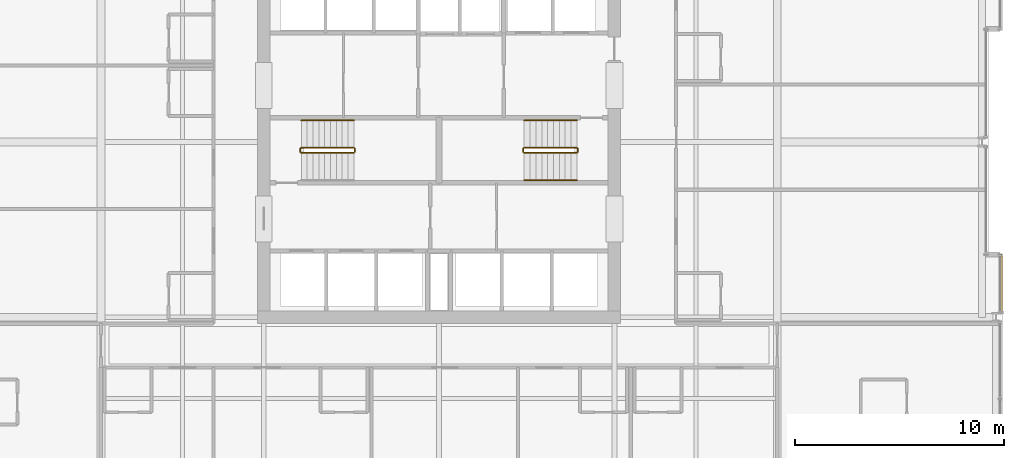
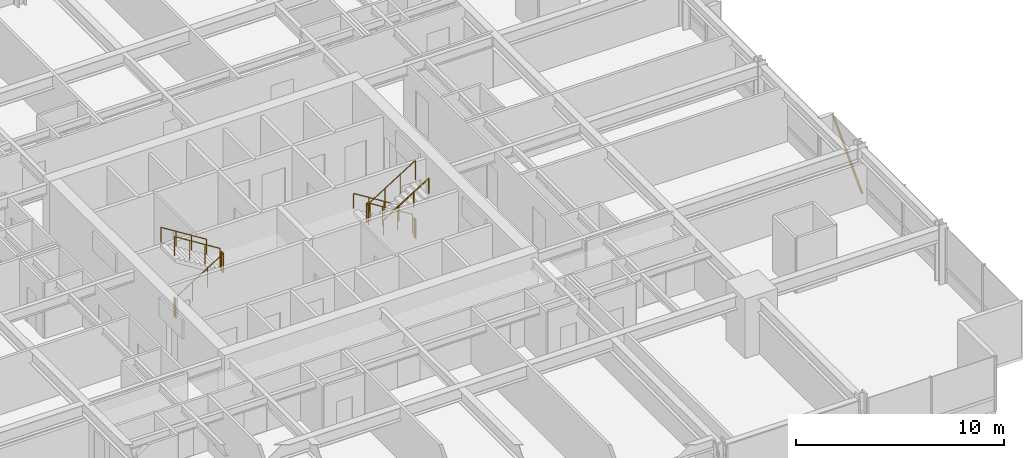
# One storey, part 37 of 38: 11 railings, 1 shading device.
"""IFC4 building model written with IfcOpenShell, lengths in metres."""

from ifc_helpers import new_model, si_unit, direction, frame, origin, origin_2d, place, context, subcontext, project, spatial, hollow_rectangle, circle, extrude, material, material_profile, profile_set, type_object, element, save


model = new_model("IFC4")

# Units and contexts
model_context = context("Model", 3, precision=1e-05, world=origin(), true_north=direction((0.0, 1.0)))
body_context = subcontext(model_context, "Body", "Model", "MODEL_VIEW")
ifc_project = project(units=[si_unit("LENGTHUNIT", "METRE"), si_unit("AREAUNIT", "SQUARE_METRE"), si_unit("VOLUMEUNIT", "CUBIC_METRE"), si_unit("PLANEANGLEUNIT", "RADIAN"), si_unit("MASSUNIT", "GRAM", prefix="KILO")], contexts=[model_context])

# Site, building, storey
site_placement = place(None, origin())
site = spatial("IfcSite", under=ifc_project, at=site_placement, CompositionType="ELEMENT")
building_placement = place(site_placement, origin())
building = spatial("IfcBuilding", under=site, at=building_placement, Name="Drelvath Grand Hotel", CompositionType="ELEMENT")
storey_placement = place(building_placement, frame((0.0, 0.0, 61.199951171875)))
storey = spatial("IfcBuildingStorey", under=building, at=storey_placement, Name="L14", CompositionType="ELEMENT", Elevation=61.199951171875)

# Railings
ifc_material_1 = material(Name="Painted Steel S275", Category="steel")
railing_type_1 = type_object("IfcRailingType", Name="Core Stair Wall Handrail 900", PredefinedType="HANDRAIL", material=ifc_material_1)
for number, where, name in (
    (1, (-4.080078125, 28.030029296875, 1.925048828125), "L14 ST-1 stair handrail 2"),
    (2, (6.60009765625, 28.030029296875, 0.175048828125), "L14 ST-2 stair handrail 1"),
):
    element("IfcRailing", number, at=place(storey_placement, frame(where)), inside=storey, type_object=railing_type_1, Name=name, PredefinedType="HANDRAIL", context=body_context, shape_type="SweptSolid", body=[
        extrude(circle(Radius=0.02392578125, at=origin_2d()), frame((0.0, 0.0, 0.8759765625), z_axis=(-0.848007534815, 0.0, 0.529984170421), x_axis=(0.0, -1.0, 0.0)), (0.0, 0.0, 1.0), 2.9716796875),
        extrude(circle(Radius=0.02099609375, at=origin_2d()), origin(), (0.0, 0.0, 1.0), 0.851806640625),
        extrude(circle(Radius=0.02099609375, at=origin_2d()), frame((-0.840087890625, 0.0, 0.52490234375)), (0.0, 0.0, 1.0), 0.851806640625),
        extrude(circle(Radius=0.02099609375, at=origin_2d()), frame((-1.679931640625, 0.0, 1.050048828125)), (0.0, 0.0, 1.0), 0.851806640625),
        extrude(circle(Radius=0.02099609375, at=origin_2d()), frame((-2.52001953125, 0.0, 1.574951171875)), (0.0, 0.0, 1.0), 0.851806640625),
    ])
railing_1_placement = place(storey_placement, frame((4.080078125, 25.169921875, 1.925048828125)))
element("IfcRailing", 3, at=railing_1_placement, inside=storey, type_object=railing_type_1, Name="L14 ST-2 stair handrail 2", PredefinedType="HANDRAIL", context=body_context, shape_type="SweptSolid", body=[
    extrude(circle(Radius=0.02392578125, at=origin_2d()), frame((0.0, 0.0, 0.8759765625), z_axis=(0.848007534815, 0.0, 0.529984170421), x_axis=(0.0, 1.0, 0.0)), (0.0, 0.0, 1.0), 2.9716796875),
    extrude(circle(Radius=0.02099609375, at=origin_2d()), origin(), (0.0, 0.0, 1.0), 0.851806640625),
    extrude(circle(Radius=0.02099609375, at=origin_2d()), frame((0.840087890625, 0.0, 0.52490234375)), (0.0, 0.0, 1.0), 0.851806640625),
    extrude(circle(Radius=0.02099609375, at=origin_2d()), frame((1.679931640625, 0.0, 1.050048828125)), (0.0, 0.0, 1.0), 0.851806640625),
    extrude(circle(Radius=0.02099609375, at=origin_2d()), frame((2.52001953125, 0.0, 1.574951171875)), (0.0, 0.0, 1.0), 0.851806640625),
])
railing_type_2 = type_object("IfcRailingType", Name="Core Stair Well Guardrail 1100", PredefinedType="GUARDRAIL", material=ifc_material_1)
railing_2_placement = place(storey_placement, frame((-6.60009765625, 26.469970703125, 0.175048828125)))
element("IfcRailing", 4, at=railing_2_placement, inside=storey, type_object=railing_type_2, Name="L14 ST-1 stair guard 1", PredefinedType="GUARDRAIL", context=body_context, shape_type="SweptSolid", body=[
    extrude(circle(Radius=0.02392578125, at=origin_2d()), frame((0.0, 0.0, 1.1259765625), z_axis=(0.848007534815, 0.0, 0.529984170421), x_axis=(0.0, 1.0, 0.0)), (0.0, 0.0, 1.0), 2.9716796875),
    extrude(circle(Radius=0.02099609375, at=origin_2d()), origin(), (0.0, 0.0, 1.0), 1.101806640625),
    extrude(circle(Radius=0.02099609375, at=origin_2d()), frame((0.840087890625, 0.0, 0.52490234375)), (0.0, 0.0, 1.0), 1.101806640625),
    extrude(circle(Radius=0.02099609375, at=origin_2d()), frame((1.679931640625, 0.0, 1.050048828125)), (0.0, 0.0, 1.0), 1.101806640625),
    extrude(circle(Radius=0.02099609375, at=origin_2d()), frame((2.52001953125, 0.0, 1.574951171875)), (0.0, 0.0, 1.0), 1.101806640625),
])
railing_3_placement = place(storey_placement, frame((-4.030029296875, 26.52001953125, 1.75)))
element("IfcRailing", 5, at=railing_3_placement, inside=storey, type_object=railing_type_2, Name="L14 ST-1 stair guard 2", PredefinedType="GUARDRAIL", context=body_context, shape_type="SweptSolid", body=[
    extrude(circle(Radius=0.02392578125, at=origin_2d()), frame((0.0, 0.0, 1.1259765625), z_axis=(0.0, 1.0, 0.0), x_axis=(-1.0, 0.0, 0.0)), (0.0, 0.0, 1.0), 0.159912109375),
    extrude(circle(Radius=0.02099609375, at=origin_2d()), origin(), (0.0, 0.0, 1.0), 1.101806640625),
    extrude(circle(Radius=0.02099609375, at=origin_2d()), frame((0.0, 0.159912109375, 0.0)), (0.0, 0.0, 1.0), 1.101806640625),
])
railing_4_placement = place(storey_placement, frame((-4.080078125, 26.72998046875, 1.925048828125)))
element("IfcRailing", 6, at=railing_4_placement, inside=storey, type_object=railing_type_2, Name="L14 ST-1 stair guard 3", PredefinedType="GUARDRAIL", context=body_context, shape_type="SweptSolid", body=[
    extrude(circle(Radius=0.02392578125, at=origin_2d()), frame((0.0, 0.0, 1.1259765625), z_axis=(-0.848007534815, 0.0, 0.529984170421), x_axis=(0.0, -1.0, 0.0)), (0.0, 0.0, 1.0), 2.9716796875),
    extrude(circle(Radius=0.02099609375, at=origin_2d()), origin(), (0.0, 0.0, 1.0), 1.101806640625),
    extrude(circle(Radius=0.02099609375, at=origin_2d()), frame((-0.840087890625, 0.0, 0.52490234375)), (0.0, 0.0, 1.0), 1.101806640625),
    extrude(circle(Radius=0.02099609375, at=origin_2d()), frame((-1.679931640625, 0.0, 1.050048828125)), (0.0, 0.0, 1.0), 1.101806640625),
    extrude(circle(Radius=0.02099609375, at=origin_2d()), frame((-2.52001953125, 0.0, 1.574951171875)), (0.0, 0.0, 1.0), 1.101806640625),
])
railing_5_placement = place(storey_placement, frame((-6.64990234375, 26.52001953125, 0.0)))
element("IfcRailing", 7, at=railing_5_placement, inside=storey, type_object=railing_type_2, Name="L14 ST-1 stair guard 4", PredefinedType="GUARDRAIL", context=body_context, shape_type="SweptSolid", body=[
    extrude(circle(Radius=0.02392578125, at=origin_2d()), frame((0.0, 0.0, 1.1259765625), z_axis=(0.0, 1.0, 0.0), x_axis=(-1.0, 0.0, 0.0)), (0.0, 0.0, 1.0), 0.159912109375),
    extrude(circle(Radius=0.02099609375, at=origin_2d()), origin(), (0.0, 0.0, 1.0), 1.101806640625),
    extrude(circle(Radius=0.02099609375, at=origin_2d()), frame((0.0, 0.159912109375, 0.0)), (0.0, 0.0, 1.0), 1.101806640625),
])
railing_6_placement = place(storey_placement, frame((6.60009765625, 26.72998046875, 0.175048828125)))
element("IfcRailing", 8, at=railing_6_placement, inside=storey, type_object=railing_type_2, Name="L14 ST-2 stair guard 1", PredefinedType="GUARDRAIL", context=body_context, shape_type="SweptSolid", body=[
    extrude(circle(Radius=0.02392578125, at=origin_2d()), frame((0.0, 0.0, 1.1259765625), z_axis=(-0.848007534815, 0.0, 0.529984170421), x_axis=(0.0, -1.0, 0.0)), (0.0, 0.0, 1.0), 2.9716796875),
    extrude(circle(Radius=0.02099609375, at=origin_2d()), origin(), (0.0, 0.0, 1.0), 1.101806640625),
    extrude(circle(Radius=0.02099609375, at=origin_2d()), frame((-0.840087890625, 0.0, 0.52490234375)), (0.0, 0.0, 1.0), 1.101806640625),
    extrude(circle(Radius=0.02099609375, at=origin_2d()), frame((-1.679931640625, 0.0, 1.050048828125)), (0.0, 0.0, 1.0), 1.101806640625),
    extrude(circle(Radius=0.02099609375, at=origin_2d()), frame((-2.52001953125, 0.0, 1.574951171875)), (0.0, 0.0, 1.0), 1.101806640625),
])
railing_7_placement = place(storey_placement, frame((4.030029296875, 26.679931640625, 1.75)))
element("IfcRailing", 9, at=railing_7_placement, inside=storey, type_object=railing_type_2, Name="L14 ST-2 stair guard 2", PredefinedType="GUARDRAIL", context=body_context, shape_type="SweptSolid", body=[
    extrude(circle(Radius=0.02392578125, at=origin_2d()), frame((0.0, 0.0, 1.1259765625), z_axis=(0.0, -1.0, 0.0), x_axis=(1.0, 0.0, 0.0)), (0.0, 0.0, 1.0), 0.159912109375),
    extrude(circle(Radius=0.02099609375, at=origin_2d()), origin(), (0.0, 0.0, 1.0), 1.101806640625),
    extrude(circle(Radius=0.02099609375, at=origin_2d()), frame((0.0, -0.159912109375, 0.0)), (0.0, 0.0, 1.0), 1.101806640625),
])
railing_8_placement = place(storey_placement, frame((4.080078125, 26.469970703125, 1.925048828125)))
element("IfcRailing", 10, at=railing_8_placement, inside=storey, type_object=railing_type_2, Name="L14 ST-2 stair guard 3", PredefinedType="GUARDRAIL", context=body_context, shape_type="SweptSolid", body=[
    extrude(circle(Radius=0.02392578125, at=origin_2d()), frame((0.0, 0.0, 1.1259765625), z_axis=(0.848007534815, 0.0, 0.529984170421), x_axis=(0.0, 1.0, 0.0)), (0.0, 0.0, 1.0), 2.9716796875),
    extrude(circle(Radius=0.02099609375, at=origin_2d()), origin(), (0.0, 0.0, 1.0), 1.101806640625),
    extrude(circle(Radius=0.02099609375, at=origin_2d()), frame((0.840087890625, 0.0, 0.52490234375)), (0.0, 0.0, 1.0), 1.101806640625),
    extrude(circle(Radius=0.02099609375, at=origin_2d()), frame((1.679931640625, 0.0, 1.050048828125)), (0.0, 0.0, 1.0), 1.101806640625),
    extrude(circle(Radius=0.02099609375, at=origin_2d()), frame((2.52001953125, 0.0, 1.574951171875)), (0.0, 0.0, 1.0), 1.101806640625),
])
railing_9_placement = place(storey_placement, frame((6.64990234375, 26.679931640625, 0.0)))
element("IfcRailing", 11, at=railing_9_placement, inside=storey, type_object=railing_type_2, Name="L14 ST-2 stair guard 4", PredefinedType="GUARDRAIL", context=body_context, shape_type="SweptSolid", body=[
    extrude(circle(Radius=0.02392578125, at=origin_2d()), frame((0.0, 0.0, 1.1259765625), z_axis=(0.0, -1.0, 0.0), x_axis=(1.0, 0.0, 0.0)), (0.0, 0.0, 1.0), 0.159912109375),
    extrude(circle(Radius=0.02099609375, at=origin_2d()), origin(), (0.0, 0.0, 1.0), 1.101806640625),
    extrude(circle(Radius=0.02099609375, at=origin_2d()), frame((0.0, -0.159912109375, 0.0)), (0.0, 0.0, 1.0), 1.101806640625),
])

# Shading device
ifc_material_2 = material(Name="Warm Bronze Anodised Aluminium", Category="aluminium")
ifc_material_profile = material_profile(ifc_material_2, hollow_rectangle(XDim=0.06494140625, YDim=0.159912109375, WallThickness=0.00390625, at=origin_2d()), Name="HSS160X65X4")
ifc_profile_set = profile_set([ifc_material_profile], Name="Warm Bronze Anodised Aluminium")
shading_device_type = type_object("IfcShadingDeviceType", Name="Diagonal Solar Fin Warm Bronze Anodised HSS160X65X4", PredefinedType="USERDEFINED", material=ifc_profile_set)
shading_device_placement = place(storey_placement, frame((26.9599609375, 18.8291015625, 0.179931640625), z_axis=(0.0, 0.693322321311, 0.720627614494), x_axis=(-1.0, 0.0, 0.0)))
element("IfcShadingDevice", 12, at=shading_device_placement, inside=storey, type_object=shading_device_type, Name="L14 Diagonal Anodised Fin CW02-L14-ES3", ObjectType="FIN", PredefinedType="USERDEFINED", context=body_context, shape_type="SweptSolid", body=[
    extrude(hollow_rectangle(XDim=0.06494140625, YDim=0.159912109375, WallThickness=0.00390625, at=origin_2d()), origin(), (0.0, 0.0, 1.0), 3.99658203125),
])

save(model, "model.ifc")
